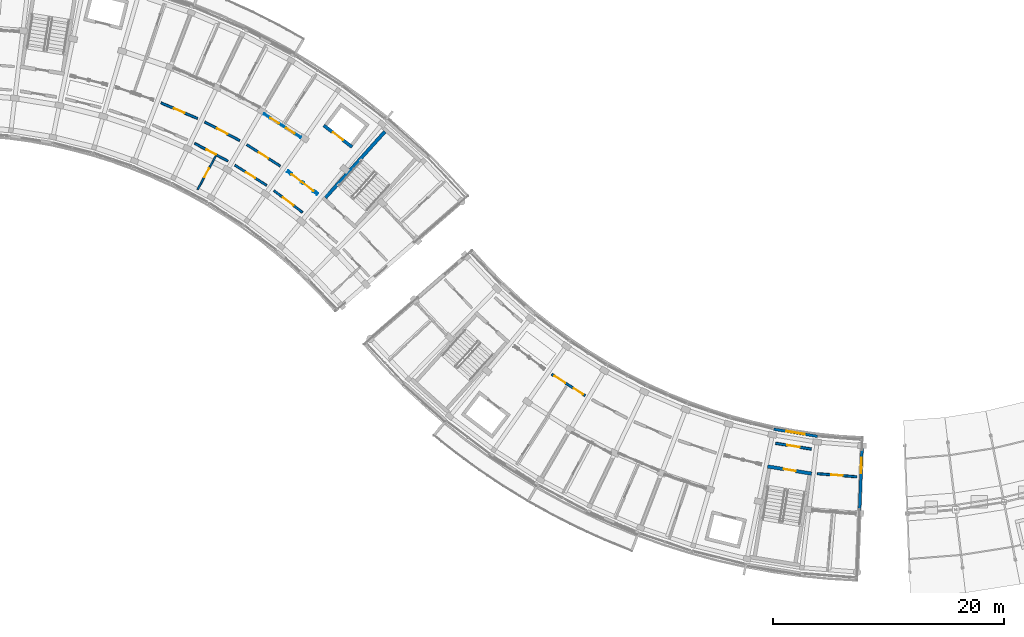
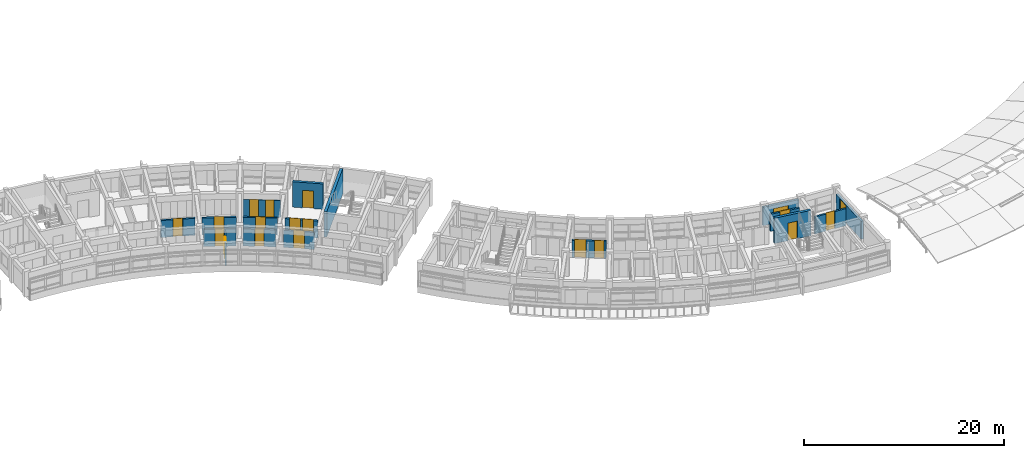
# One storey, part 37 of 50: 17 doors, 17 walls, 2 windows, 19 openings.
"""IFC4 building model written with IfcOpenShell, lengths in metres."""

from ifc_helpers import new_model, si_unit, direction, frame, frame_2d, origin, place, context, subcontext, project, spatial, rectangle, extrude, material, layer, layer_set, type_object, element, fill, save


model = new_model("IFC4")

# Units and contexts
model_context = context("Model", 3, precision=1e-05, world=origin(), true_north=direction((0.0, 1.0)))
body_context = subcontext(model_context, "Body", "Model", "MODEL_VIEW")
ifc_project = project(units=[si_unit("LENGTHUNIT", "METRE"), si_unit("AREAUNIT", "SQUARE_METRE"), si_unit("VOLUMEUNIT", "CUBIC_METRE"), si_unit("PLANEANGLEUNIT", "RADIAN"), si_unit("MASSUNIT", "GRAM", prefix="KILO")], contexts=[model_context])

# Site, building, storey
site_placement = place(None, origin())
site = spatial("IfcSite", under=ifc_project, at=site_placement, CompositionType="ELEMENT")
building_placement = place(site_placement, origin())
building = spatial("IfcBuilding", under=site, at=building_placement, Name="Zimvara Arc Housing Community", CompositionType="ELEMENT")
storey_placement = place(building_placement, frame((0.0, 0.0, 26.699951171875)))
storey = spatial("IfcBuildingStorey", under=building, at=storey_placement, Name="L08", CompositionType="ELEMENT", Elevation=26.699951171875)

# Wall, opening, window
ifc_material_1 = material(Name="Board-Marked Fair-Faced Concrete C35/45", Category="concrete")
ifc_layer_1 = layer(ifc_material_1, 0.22998046875)
ifc_layer_set_1 = layer_set([ifc_layer_1], Name="Board-Marked Fair-Faced Concrete C35/45")
wall_type_1 = type_object("IfcWallType", Name="EWL-CONC-230", PredefinedType="SOLIDWALL", material=ifc_layer_set_1)
wall_1_placement = place(storey_placement, frame((116.4970703125, 63.398681640625, 0.0), z_axis=(0.0, 0.0, 1.0), x_axis=(0.987080708519, -0.160223827412, 0.0)))
wall_1 = element("IfcWall", 1, at=wall_1_placement, inside=storey, type_object=wall_type_1, Name="ewall:blkC:L08:in:b8", PredefinedType="SOLIDWALL", context=body_context, shape_type="SweptSolid", body=[
    extrude(rectangle(XDim=3.832275390625, YDim=0.22998046875, at=frame_2d((1.916015625, 0.0))), origin(), (0.0, 0.0, 1.0), 2.25),
])
opening_1_placement = place(wall_1_placement, frame((1.1162109375, 0.0, 0.320068359375)))
opening_1 = element("IfcOpeningElement", 2, at=opening_1_placement, cuts=wall_1, Name="Opening W03", PredefinedType="OPENING", context=body_context, shape_type="SweptSolid", body=[
    extrude(rectangle(XDim=1.60009765625, YDim=1.5, at=frame_2d((0.800048828125, 0.75))), frame((0.0, 0.125, 0.0), z_axis=(0.0, -1.0, 0.0), x_axis=(1.0, 0.0, 0.0)), (0.0, 0.0, 1.0), 0.25),
])
ifc_material_2 = material(Name="Solar Control Low-E Double Glazing", Category="glass")
window_type_1 = type_object("IfcWindowType", Name="WIN-RES-1600x1500", PartitioningType="DOUBLE_PANEL_VERTICAL", PredefinedType="WINDOW", material=ifc_material_2)
window_1_placement = place(opening_1_placement, origin())
window_1 = element("IfcWindow", 3, at=window_1_placement, inside=storey, type_object=window_type_1, Name="win:blkC:L08:in:b8", OverallHeight=1.5, OverallWidth=1.60009765625, PartitioningType="DOUBLE_PANEL_VERTICAL", PredefinedType="WINDOW", context=body_context, shape_type="SweptSolid", body=[
    extrude(rectangle(XDim=1.60009765625, YDim=1.5, at=frame_2d((0.800048828125, 0.75))), frame((0.0, 0.030029296875, 0.0), z_axis=(0.0, -1.0, 0.0), x_axis=(1.0, 0.0, 0.0)), (0.0, 0.0, 1.0), 0.06005859375),
])
fill(opening_1, window_1)

ifc_material_3 = material(Name="Board-Marked Fair-Faced Concrete C35/45", Category="concrete")
ifc_layer_2 = layer(ifc_material_3, 0.2548828125)
ifc_layer_set_2 = layer_set([ifc_layer_2], Name="Board-Marked Fair-Faced Concrete C35/45")
wall_type_2 = type_object("IfcWallType", Name="EWL-CONC-255", PredefinedType="SOLIDWALL", material=ifc_layer_set_2)
wall_2_placement = place(storey_placement, frame((124.13134765625, 61.735595703125, 0.0), z_axis=(0.0, 0.0, 1.0), x_axis=(-0.038429649442, -0.999261308189, 0.0)))
wall_2 = element("IfcWall", 4, at=wall_2_placement, inside=storey, type_object=wall_type_2, Name="ewall:blkC:L08:gN", PredefinedType="SOLIDWALL", context=body_context, shape_type="SweptSolid", body=[
    extrude(rectangle(XDim=5.39990234375, YDim=0.2548828125, at=frame_2d((2.699951171875, 0.0))), origin(), (0.0, 0.0, 1.0), 2.179931640625),
])
opening_2_placement = place(wall_2_placement, frame((0.7900390625, 0.0, 0.75)))
opening_2 = element("IfcOpeningElement", 5, at=opening_2_placement, cuts=wall_2, Name="Opening W12", PredefinedType="OPENING", context=body_context, shape_type="SweptSolid", body=[
    extrude(rectangle(XDim=1.35009765625, YDim=1.35009765625, at=frame_2d((0.675048828125, 0.675048828125))), frame((0.0, 0.137451171875, 0.0), z_axis=(0.0, -1.0, 0.0), x_axis=(1.0, 0.0, 0.0)), (0.0, 0.0, 1.0), 0.27490234375),
])
ifc_material_4 = material(Name="Solar Control Low-E Double Glazing", Category="glass")
window_type_2 = type_object("IfcWindowType", Name="WIN-RES-1350x1350", PartitioningType="DOUBLE_PANEL_VERTICAL", PredefinedType="WINDOW", material=ifc_material_4)
window_2_placement = place(opening_2_placement, origin())
window_2 = element("IfcWindow", 6, at=window_2_placement, inside=storey, type_object=window_type_2, Name="win:blkC:L08:gN:w", OverallHeight=1.35009765625, OverallWidth=1.35009765625, PartitioningType="DOUBLE_PANEL_VERTICAL", PredefinedType="WINDOW", context=body_context, shape_type="SweptSolid", body=[
    extrude(rectangle(XDim=1.35009765625, YDim=1.35009765625, at=frame_2d((0.675048828125, 0.675048828125))), frame((0.0, 0.030029296875, 0.0), z_axis=(0.0, -1.0, 0.0), x_axis=(1.0, 0.0, 0.0)), (0.0, 0.0, 1.0), 0.06005859375),
])
fill(opening_2, window_2)

# Wall, openings, doors
ifc_material_5 = material(Name="Concrete C35/45", Category="concrete")
ifc_layer_3 = layer(ifc_material_5, 0.2099609375)
ifc_layer_set_3 = layer_set([ifc_layer_3], Name="Concrete C35/45")
wall_type_3 = type_object("IfcWallType", Name="IWL-CCF-210", PredefinedType="SOLIDWALL", material=ifc_layer_set_3)
wall_3_placement = place(storey_placement, frame((74.356689453125, 85.755859375, 0.0), z_axis=(0.0, 0.0, 1.0), x_axis=(0.795498026433, -0.605956178235, 0.0)))
wall_3 = element("IfcWall", 7, at=wall_3_placement, inside=storey, type_object=wall_type_3, Name="iwall:blkB:L08:ll_div:b7", PredefinedType="SOLIDWALL", context=body_context, shape_type="SweptSolid", body=[
    extrude(rectangle(XDim=3.296142578125, YDim=0.2099609375, at=frame_2d((1.64794921875, 0.0))), origin(), (0.0, 0.0, 1.0), 2.080078125),
])
opening_3_placement = place(wall_3_placement, frame((0.449951171875, 0.0, 0.0)))
opening_3 = element("IfcOpeningElement", 8, at=opening_3_placement, cuts=wall_3, Name="Opening FD-CCF1", PredefinedType="OPENING", context=body_context, shape_type="SweptSolid", body=[
    extrude(rectangle(XDim=1.10009765625, YDim=2.14990234375, at=frame_2d((0.550048828125, 1.074951171875))), frame((0.0, 0.114990234375, 0.0), z_axis=(0.0, -1.0, 0.0), x_axis=(1.0, 0.0, 0.0)), (0.0, 0.0, 1.0), 0.22998046875),
])
opening_4_placement = place(wall_3_placement, frame((1.72607421875, 0.0, 0.0)))
opening_4 = element("IfcOpeningElement", 9, at=opening_4_placement, cuts=wall_3, Name="Opening D07", PredefinedType="OPENING", context=body_context, shape_type="SweptSolid", body=[
    extrude(rectangle(XDim=1.1201171875, YDim=2.14990234375, at=frame_2d((0.56005859375, 1.074951171875))), frame((0.0, 0.114990234375, 0.0), z_axis=(0.0, -1.0, 0.0), x_axis=(1.0, 0.0, 0.0)), (0.0, 0.0, 1.0), 0.22998046875),
])
ifc_material_6 = material(Name="Mozambican Hardwood", Category="wood")
door_type_1 = type_object("IfcDoorType", Name="IDR-AMN-1120x2150", OperationType="NOTDEFINED", PredefinedType="DOOR", material=ifc_material_6)
door_1_placement = place(opening_4_placement, origin())
door_1 = element("IfcDoor", 10, at=door_1_placement, inside=storey, type_object=door_type_1, Name="idoor:blkB:L08:rs_in:b7", OperationType="SINGLE_SWING_LEFT", OverallHeight=2.14990234375, OverallWidth=1.1201171875, PredefinedType="DOOR", context=body_context, shape_type="SweptSolid", body=[
    extrude(rectangle(XDim=1.1201171875, YDim=2.14990234375, at=frame_2d((0.56005859375, 1.074951171875))), frame((0.0, 0.02490234375, 0.0), z_axis=(0.0, -1.0, 0.0), x_axis=(1.0, 0.0, 0.0)), (0.0, 0.0, 1.0), 0.050048828125),
])
fill(opening_4, door_1)
ifc_material_7 = material(Name="Anodised Aluminium AW-6063", Category="aluminium")
door_type_2 = type_object("IfcDoorType", Name="IDR-CCF-1100x2150", OperationType="NOTDEFINED", PredefinedType="DOOR", material=ifc_material_7)
door_2_placement = place(opening_3_placement, origin())
door_2 = element("IfcDoor", 11, at=door_2_placement, inside=storey, type_object=door_type_2, Name="idoor:blkB:L08:ll_in:b7", OperationType="SINGLE_SWING_RIGHT", OverallHeight=2.14990234375, OverallWidth=1.10009765625, PredefinedType="DOOR", context=body_context, shape_type="SweptSolid", body=[
    extrude(rectangle(XDim=1.10009765625, YDim=2.14990234375, at=frame_2d((0.550048828125, 1.074951171875))), frame((0.0, 0.02490234375, 0.0), z_axis=(0.0, -1.0, 0.0), x_axis=(1.0, 0.0, 0.0)), (0.0, 0.0, 1.0), 0.050048828125),
])
fill(opening_3, door_2)

# Wall, opening, door
wall_4_placement = place(storey_placement, frame((116.655517578125, 62.178466796875, 0.0), z_axis=(0.0, 0.0, 1.0), x_axis=(0.987083140276, -0.16020884552, 0.0)))
wall_4 = element("IfcWall", 12, at=wall_4_placement, inside=storey, type_object=wall_type_3, Name="iwall:blkC:L08:ccf_div:b8", PredefinedType="SOLIDWALL", context=body_context, shape_type="SweptSolid", body=[
    extrude(rectangle(XDim=3.128662109375, YDim=0.2099609375, at=frame_2d((1.564453125, 0.0))), origin(), (0.0, 0.0, 1.0), 2.080078125),
])
opening_5_placement = place(wall_4_placement, frame((1.014404296875, 0.0, 0.0)))
opening_5 = element("IfcOpeningElement", 13, at=opening_5_placement, cuts=wall_4, Name="Opening FD-CCF1", PredefinedType="OPENING", context=body_context, shape_type="SweptSolid", body=[
    extrude(rectangle(XDim=1.10009765625, YDim=2.14990234375, at=frame_2d((0.550048828125, 1.074951171875))), frame((0.0, 0.114990234375, 0.0), z_axis=(0.0, -1.0, 0.0), x_axis=(1.0, 0.0, 0.0)), (0.0, 0.0, 1.0), 0.22998046875),
])
door_3_placement = place(opening_5_placement, origin())
door_3 = element("IfcDoor", 14, at=door_3_placement, inside=storey, type_object=door_type_2, Name="idoor:blkC:L08:ccf_in:b8", OperationType="SINGLE_SWING_LEFT", OverallHeight=2.14990234375, OverallWidth=1.10009765625, PredefinedType="DOOR", context=body_context, shape_type="SweptSolid", body=[
    extrude(rectangle(XDim=1.10009765625, YDim=2.14990234375, at=frame_2d((0.550048828125, 1.074951171875))), frame((0.0, 0.02490234375, 0.0), z_axis=(0.0, -1.0, 0.0), x_axis=(1.0, 0.0, 0.0)), (0.0, 0.0, 1.0), 0.050048828125),
])
fill(opening_5, door_3)

ifc_material_8 = material(Name="Concrete C35/45", Category="concrete")
ifc_layer_4 = layer(ifc_material_8, 0.18994140625)
ifc_layer_set_4 = layer_set([ifc_layer_4], Name="Concrete C35/45")
wall_type_4 = type_object("IfcWallType", Name="IWL-CORR-190", PredefinedType="SOLIDWALL", material=ifc_layer_set_4)
wall_5_placement = place(storey_placement, frame((66.30859375, 88.1650390625, 0.0), z_axis=(0.0, 0.0, 1.0), x_axis=(0.883444301944, -0.468536194293, 0.0)))
wall_5 = element("IfcWall", 15, at=wall_5_placement, inside=storey, type_object=wall_type_4, Name="iwall:blkB:L08:corr_in:b5", PredefinedType="SOLIDWALL", context=body_context, shape_type="SweptSolid", body=[
    extrude(rectangle(XDim=3.268798828125, YDim=0.18994140625, at=frame_2d((1.63427734375, 0.0))), origin(), (0.0, 0.0, 1.0), 2.080078125),
])
opening_6_placement = place(wall_5_placement, frame((1.17431640625, 0.0, 0.0)))
opening_6 = element("IfcOpeningElement", 16, at=opening_6_placement, cuts=wall_5, Name="Opening D02", PredefinedType="OPENING", context=body_context, shape_type="SweptSolid", body=[
    extrude(rectangle(XDim=0.919921875, YDim=2.10009765625, at=frame_2d((0.4599609375, 1.050048828125))), frame((0.0, 0.10498046875, 0.0), z_axis=(0.0, -1.0, 0.0), x_axis=(1.0, 0.0, 0.0)), (0.0, 0.0, 1.0), 0.2099609375),
])
ifc_material_9 = material(Name="Mozambican Hardwood", Category="wood")
door_type_3 = type_object("IfcDoorType", Name="IDR-RM-0920x2100", OperationType="NOTDEFINED", PredefinedType="DOOR", material=ifc_material_9)
door_4_placement = place(opening_6_placement, origin())
door_4 = element("IfcDoor", 17, at=door_4_placement, inside=storey, type_object=door_type_3, Name="idoor:blkB:L08:in_rm:b5", OperationType="SINGLE_SWING_RIGHT", OverallHeight=2.10009765625, OverallWidth=0.919921875, PredefinedType="DOOR", context=body_context, shape_type="SweptSolid", body=[
    extrude(rectangle(XDim=0.919921875, YDim=2.10009765625, at=frame_2d((0.4599609375, 1.050048828125))), frame((0.0, 0.02490234375, 0.0), z_axis=(0.0, -1.0, 0.0), x_axis=(1.0, 0.0, 0.0)), (0.0, 0.0, 1.0), 0.050048828125),
])
fill(opening_6, door_4)

wall_6_placement = place(storey_placement, frame((69.80029296875, 86.281005859375, 0.0), z_axis=(0.0, 0.0, 1.0), x_axis=(0.842225276846, -0.539125758095, 0.0)))
wall_6 = element("IfcWall", 18, at=wall_6_placement, inside=storey, type_object=wall_type_4, Name="iwall:blkB:L08:corr_in:b6", PredefinedType="SOLIDWALL", context=body_context, shape_type="SweptSolid", body=[
    extrude(rectangle(XDim=3.2685546875, YDim=0.18994140625, at=frame_2d((1.63427734375, 0.0))), origin(), (0.0, 0.0, 1.0), 2.080078125),
])
opening_7_placement = place(wall_6_placement, frame((1.164306640625, 0.0, 0.0)))
opening_7 = element("IfcOpeningElement", 19, at=opening_7_placement, cuts=wall_6, Name="Opening D03", PredefinedType="OPENING", context=body_context, shape_type="SweptSolid", body=[
    extrude(rectangle(XDim=0.93994140625, YDim=2.10009765625, at=frame_2d((0.469970703125, 1.050048828125))), frame((0.0, 0.10498046875, 0.0), z_axis=(0.0, -1.0, 0.0), x_axis=(1.0, 0.0, 0.0)), (0.0, 0.0, 1.0), 0.2099609375),
])
ifc_material_10 = material(Name="Mozambican Hardwood", Category="wood")
door_type_4 = type_object("IfcDoorType", Name="IDR-RM-0940x2100", OperationType="NOTDEFINED", PredefinedType="DOOR", material=ifc_material_10)
door_5_placement = place(opening_7_placement, origin())
door_5 = element("IfcDoor", 20, at=door_5_placement, inside=storey, type_object=door_type_4, Name="idoor:blkB:L08:in_rm:b6", OperationType="SINGLE_SWING_RIGHT", OverallHeight=2.10009765625, OverallWidth=0.93994140625, PredefinedType="DOOR", context=body_context, shape_type="SweptSolid", body=[
    extrude(rectangle(XDim=0.93994140625, YDim=2.10009765625, at=frame_2d((0.469970703125, 1.050048828125))), frame((0.0, 0.02490234375, 0.0), z_axis=(0.0, -1.0, 0.0), x_axis=(1.0, 0.0, 0.0)), (0.0, 0.0, 1.0), 0.050048828125),
])
fill(opening_7, door_5)

wall_7_placement = place(storey_placement, frame((73.18212890625, 84.07568359375, 0.0), z_axis=(0.0, 0.0, 1.0), x_axis=(0.795501577908, -0.605951515838, 0.0)))
wall_7 = element("IfcWall", 21, at=wall_7_placement, inside=storey, type_object=wall_type_4, Name="iwall:blkB:L08:ra_div:b7", PredefinedType="SOLIDWALL", context=body_context, shape_type="SweptSolid", body=[
    extrude(rectangle(XDim=3.128662109375, YDim=0.18994140625, at=frame_2d((1.564453125, 0.0))), origin(), (0.0, 0.0, 1.0), 2.080078125),
])
opening_8_placement = place(wall_7_placement, frame((1.00439453125, 0.0, 0.0)))
opening_8 = element("IfcOpeningElement", 22, at=opening_8_placement, cuts=wall_7, Name="Opening D07", PredefinedType="OPENING", context=body_context, shape_type="SweptSolid", body=[
    extrude(rectangle(XDim=1.1201171875, YDim=2.14990234375, at=frame_2d((0.56005859375, 1.074951171875))), frame((0.0, 0.10498046875, 0.0), z_axis=(0.0, -1.0, 0.0), x_axis=(1.0, 0.0, 0.0)), (0.0, 0.0, 1.0), 0.2099609375),
])
door_6_placement = place(opening_8_placement, origin())
door_6 = element("IfcDoor", 23, at=door_6_placement, inside=storey, type_object=door_type_1, Name="idoor:blkB:L08:ra_d:b7", OperationType="SINGLE_SWING_RIGHT", OverallHeight=2.14990234375, OverallWidth=1.1201171875, PredefinedType="DOOR", context=body_context, shape_type="SweptSolid", body=[
    extrude(rectangle(XDim=1.1201171875, YDim=2.14990234375, at=frame_2d((0.56005859375, 1.074951171875))), frame((0.0, 0.02490234375, 0.0), z_axis=(0.0, -1.0, 0.0), x_axis=(1.0, 0.0, 0.0)), (0.0, 0.0, 1.0), 0.050048828125),
])
fill(opening_8, door_6)

ifc_material_11 = material(Name="Concrete C35/45", Category="concrete")
ifc_layer_5 = layer(ifc_material_11, 0.199951171875)
ifc_layer_set_5 = layer_set([ifc_layer_5], Name="Concrete C35/45")
wall_type_5 = type_object("IfcWallType", Name="IWL-CORR-200", PredefinedType="SOLIDWALL", material=ifc_layer_set_5)
wall_8_placement = place(storey_placement, frame((63.40673828125, 91.6728515625, 0.0), z_axis=(0.0, 0.0, 1.0), x_axis=(0.918718172399, -0.394913813008, 0.0)))
wall_8 = element("IfcWall", 24, at=wall_8_placement, inside=storey, type_object=wall_type_5, Name="iwall:blkB:L08:corr_out:b4", PredefinedType="SOLIDWALL", context=body_context, shape_type="SweptSolid", body=[
    extrude(rectangle(XDim=3.43603515625, YDim=0.199951171875, at=frame_2d((1.718017578125, 0.0))), origin(), (0.0, 0.0, 1.0), 2.080078125),
])
opening_9_placement = place(wall_8_placement, frame((1.22802734375, 0.0, 0.0)))
opening_9 = element("IfcOpeningElement", 25, at=opening_9_placement, cuts=wall_8, Name="Opening FD-FL1", PredefinedType="OPENING", context=body_context, shape_type="SweptSolid", body=[
    extrude(rectangle(XDim=0.97998046875, YDim=2.14990234375, at=frame_2d((0.489990234375, 1.074951171875))), frame((0.0, 0.10986328125, 0.0), z_axis=(0.0, -1.0, 0.0), x_axis=(1.0, 0.0, 0.0)), (0.0, 0.0, 1.0), 0.219970703125),
])
ifc_material_12 = material(Name="Mozambican Hardwood", Category="wood")
door_type_5 = type_object("IfcDoorType", Name="IDR-FLAT-0980x2150", OperationType="NOTDEFINED", PredefinedType="DOOR", material=ifc_material_12)
door_7_placement = place(opening_9_placement, origin())
door_7 = element("IfcDoor", 26, at=door_7_placement, inside=storey, type_object=door_type_5, Name="idoor:blkB:L08:flat:b4", OperationType="SINGLE_SWING_RIGHT", OverallHeight=2.14990234375, OverallWidth=0.97998046875, PredefinedType="DOOR", context=body_context, shape_type="SweptSolid", body=[
    extrude(rectangle(XDim=0.97998046875, YDim=2.14990234375, at=frame_2d((0.489990234375, 1.074951171875))), frame((0.0, 0.02490234375, 0.0), z_axis=(0.0, -1.0, 0.0), x_axis=(1.0, 0.0, 0.0)), (0.0, 0.0, 1.0), 0.050048828125),
])
fill(opening_9, door_7)

wall_9_placement = place(storey_placement, frame((67.1943359375, 90.013916015625, 0.0), z_axis=(0.0, 0.0, 1.0), x_axis=(0.883410853063, -0.468599258099, 0.0)))
wall_9 = element("IfcWall", 27, at=wall_9_placement, inside=storey, type_object=wall_type_5, Name="iwall:blkB:L08:corr_out:b5", PredefinedType="SOLIDWALL", context=body_context, shape_type="SweptSolid", body=[
    extrude(rectangle(XDim=3.43603515625, YDim=0.199951171875, at=frame_2d((1.718017578125, 0.0))), origin(), (0.0, 0.0, 1.0), 2.080078125),
])
opening_10_placement = place(wall_9_placement, frame((1.2080078125, 0.0, 0.0)))
opening_10 = element("IfcOpeningElement", 28, at=opening_10_placement, cuts=wall_9, Name="Opening FD-FL2", PredefinedType="OPENING", context=body_context, shape_type="SweptSolid", body=[
    extrude(rectangle(XDim=1.02001953125, YDim=2.14990234375, at=frame_2d((0.510009765625, 1.074951171875))), frame((0.0, 0.10986328125, 0.0), z_axis=(0.0, -1.0, 0.0), x_axis=(1.0, 0.0, 0.0)), (0.0, 0.0, 1.0), 0.219970703125),
])
ifc_material_13 = material(Name="Mozambican Hardwood", Category="wood")
door_type_6 = type_object("IfcDoorType", Name="IDR-FLAT-1020x2150", OperationType="NOTDEFINED", PredefinedType="DOOR", material=ifc_material_13)
door_8_placement = place(opening_10_placement, origin())
door_8 = element("IfcDoor", 29, at=door_8_placement, inside=storey, type_object=door_type_6, Name="idoor:blkB:L08:flat:b5", OperationType="SINGLE_SWING_LEFT", OverallHeight=2.14990234375, OverallWidth=1.02001953125, PredefinedType="DOOR", context=body_context, shape_type="SweptSolid", body=[
    extrude(rectangle(XDim=1.02001953125, YDim=2.14990234375, at=frame_2d((0.510009765625, 1.074951171875))), frame((0.0, 0.02490234375, 0.0), z_axis=(0.0, -1.0, 0.0), x_axis=(1.0, 0.0, 0.0)), (0.0, 0.0, 1.0), 0.050048828125),
])
fill(opening_10, door_8)

wall_10_placement = place(storey_placement, frame((70.833740234375, 88.05126953125, 0.0), z_axis=(0.0, 0.0, 1.0), x_axis=(0.842257205985, -0.539075874963, 0.0)))
wall_10 = element("IfcWall", 30, at=wall_10_placement, inside=storey, type_object=wall_type_5, Name="iwall:blkB:L08:corr_out:b6", PredefinedType="SOLIDWALL", context=body_context, shape_type="SweptSolid", body=[
    extrude(rectangle(XDim=3.43603515625, YDim=0.199951171875, at=frame_2d((1.718017578125, 0.0))), origin(), (0.0, 0.0, 1.0), 2.080078125),
])
opening_11_placement = place(wall_10_placement, frame((1.22802734375, 0.0, 0.0)))
opening_11 = element("IfcOpeningElement", 31, at=opening_11_placement, cuts=wall_10, Name="Opening FD-FL1", PredefinedType="OPENING", context=body_context, shape_type="SweptSolid", body=[
    extrude(rectangle(XDim=0.97998046875, YDim=2.14990234375, at=frame_2d((0.489990234375, 1.074951171875))), frame((0.0, 0.10986328125, 0.0), z_axis=(0.0, -1.0, 0.0), x_axis=(1.0, 0.0, 0.0)), (0.0, 0.0, 1.0), 0.219970703125),
])
door_9_placement = place(opening_11_placement, origin())
door_9 = element("IfcDoor", 32, at=door_9_placement, inside=storey, type_object=door_type_5, Name="idoor:blkB:L08:flat:b6", OperationType="SINGLE_SWING_LEFT", OverallHeight=2.14990234375, OverallWidth=0.97998046875, PredefinedType="DOOR", context=body_context, shape_type="SweptSolid", body=[
    extrude(rectangle(XDim=0.97998046875, YDim=2.14990234375, at=frame_2d((0.489990234375, 1.074951171875))), frame((0.0, 0.02490234375, 0.0), z_axis=(0.0, -1.0, 0.0), x_axis=(1.0, 0.0, 0.0)), (0.0, 0.0, 1.0), 0.050048828125),
])
fill(opening_11, door_9)

# Wall, openings, doors
wall_11_placement = place(storey_placement, frame((97.252197265625, 68.160888671875, 0.0), z_axis=(0.0, 0.0, 1.0), x_axis=(0.842289466461, -0.53902546757, 0.0)))
wall_11 = element("IfcWall", 33, at=wall_11_placement, inside=storey, type_object=wall_type_5, Name="iwall:blkC:L08:corr_out:b3", PredefinedType="SOLIDWALL", context=body_context, shape_type="SweptSolid", body=[
    extrude(rectangle(XDim=3.43603515625, YDim=0.199951171875, at=frame_2d((1.718017578125, 0.0))), origin(), (0.0, 0.0, 1.0), 2.080078125),
])
opening_12_placement = place(wall_11_placement, frame((0.280029296875, 0.0, 0.0)))
opening_12 = element("IfcOpeningElement", 34, at=opening_12_placement, cuts=wall_11, Name="Opening D07", PredefinedType="OPENING", context=body_context, shape_type="SweptSolid", body=[
    extrude(rectangle(XDim=1.1201171875, YDim=2.14990234375, at=frame_2d((0.56005859375, 1.074951171875))), frame((0.0, 0.10986328125, 0.0), z_axis=(0.0, -1.0, 0.0), x_axis=(1.0, 0.0, 0.0)), (0.0, 0.0, 1.0), 0.219970703125),
])
opening_13_placement = place(wall_11_placement, frame((2.26611328125, 0.0, 0.0)))
opening_13 = element("IfcOpeningElement", 35, at=opening_13_placement, cuts=wall_11, Name="Opening D06", PredefinedType="OPENING", context=body_context, shape_type="SweptSolid", body=[
    extrude(rectangle(XDim=0.949951171875, YDim=2.10009765625, at=frame_2d((0.47509765625, 1.050048828125))), frame((0.0, 0.10986328125, 0.0), z_axis=(0.0, -1.0, 0.0), x_axis=(1.0, 0.0, 0.0)), (0.0, 0.0, 1.0), 0.219970703125),
])
door_10_placement = place(opening_12_placement, origin())
door_10 = element("IfcDoor", 36, at=door_10_placement, inside=storey, type_object=door_type_1, Name="idoor:blkC:L08:amen:b3", OperationType="SINGLE_SWING_RIGHT", OverallHeight=2.14990234375, OverallWidth=1.1201171875, PredefinedType="DOOR", context=body_context, shape_type="SweptSolid", body=[
    extrude(rectangle(XDim=1.1201171875, YDim=2.14990234375, at=frame_2d((0.56005859375, 1.074951171875))), frame((0.0, 0.02490234375, 0.0), z_axis=(0.0, -1.0, 0.0), x_axis=(1.0, 0.0, 0.0)), (0.0, 0.0, 1.0), 0.050048828125),
])
fill(opening_12, door_10)
ifc_material_14 = material(Name="Mozambican Hardwood", Category="wood")
door_type_7 = type_object("IfcDoorType", Name="IDR-AWC-0950x2100", OperationType="NOTDEFINED", PredefinedType="DOOR", material=ifc_material_14)
door_11_placement = place(opening_13_placement, origin())
door_11 = element("IfcDoor", 37, at=door_11_placement, inside=storey, type_object=door_type_7, Name="idoor:blkC:L08:cawc:b3", OperationType="SINGLE_SWING_LEFT", OverallHeight=2.10009765625, OverallWidth=0.949951171875, PredefinedType="DOOR", context=body_context, shape_type="SweptSolid", body=[
    extrude(rectangle(XDim=0.949951171875, YDim=2.10009765625, at=frame_2d((0.47509765625, 1.050048828125))), frame((0.0, 0.02490234375, 0.0), z_axis=(0.0, -1.0, 0.0), x_axis=(1.0, 0.0, 0.0)), (0.0, 0.0, 1.0), 0.050048828125),
])
fill(opening_13, door_11)

# Wall, opening, door
wall_12_placement = place(storey_placement, frame((120.261474609375, 59.547119140625, 0.0), z_axis=(0.0, 0.0, 1.0), x_axis=(0.996862545573, -0.079152165058, 0.0)))
wall_12 = element("IfcWall", 38, at=wall_12_placement, inside=storey, type_object=wall_type_5, Name="iwall:blkC:L08:corr_out:b9", PredefinedType="SOLIDWALL", context=body_context, shape_type="SweptSolid", body=[
    extrude(rectangle(XDim=3.43603515625, YDim=0.199951171875, at=frame_2d((1.718017578125, 0.0))), origin(), (0.0, 0.0, 1.0), 2.080078125),
])
opening_14_placement = place(wall_12_placement, frame((1.2080078125, 0.0, 0.0)))
opening_14 = element("IfcOpeningElement", 39, at=opening_14_placement, cuts=wall_12, Name="Opening FD-FL2", PredefinedType="OPENING", context=body_context, shape_type="SweptSolid", body=[
    extrude(rectangle(XDim=1.02001953125, YDim=2.14990234375, at=frame_2d((0.510009765625, 1.074951171875))), frame((0.0, 0.10986328125, 0.0), z_axis=(0.0, -1.0, 0.0), x_axis=(1.0, 0.0, 0.0)), (0.0, 0.0, 1.0), 0.219970703125),
])
door_12_placement = place(opening_14_placement, origin())
door_12 = element("IfcDoor", 40, at=door_12_placement, inside=storey, type_object=door_type_6, Name="idoor:blkC:L08:flat:b9", OperationType="SINGLE_SWING_RIGHT", OverallHeight=2.14990234375, OverallWidth=1.02001953125, PredefinedType="DOOR", context=body_context, shape_type="SweptSolid", body=[
    extrude(rectangle(XDim=1.02001953125, YDim=2.14990234375, at=frame_2d((0.510009765625, 1.074951171875))), frame((0.0, 0.02490234375, 0.0), z_axis=(0.0, -1.0, 0.0), x_axis=(1.0, 0.0, 0.0)), (0.0, 0.0, 1.0), 0.050048828125),
])
fill(opening_14, door_12)

# Wall, openings, doors
ifc_material_15 = material(Name="Painted Acoustic Plasterboard")
ifc_layer_6 = layer(ifc_material_15, 0.125)
ifc_layer_set_6 = layer_set([ifc_layer_6], Name="Painted Acoustic Plasterboard")
wall_type_6 = type_object("IfcWallType", Name="IWL-PART-125", PredefinedType="PARTITIONING", material=ifc_layer_set_6)
wall_13_placement = place(storey_placement, frame((72.32958984375, 90.712158203125, 0.0), z_axis=(0.0, 0.0, 1.0), x_axis=(0.842245628842, -0.539093962771, 0.0)))
wall_13 = element("IfcWall", 41, at=wall_13_placement, inside=storey, type_object=wall_type_6, Name="iwall:blkB:L08:srv:b6", PredefinedType="PARTITIONING", context=body_context, shape_type="SweptSolid", body=[
    extrude(rectangle(XDim=3.78515625, YDim=0.125, at=frame_2d((1.892578125, 0.0))), origin(), (0.0, 0.0, 1.0), 2.080078125),
])
opening_15_placement = place(wall_13_placement, frame((0.64990234375, 0.0, 0.0)))
opening_15 = element("IfcOpeningElement", 42, at=opening_15_placement, cuts=wall_13, Name="Opening D01", PredefinedType="OPENING", context=body_context, shape_type="SweptSolid", body=[
    extrude(rectangle(XDim=0.89990234375, YDim=2.10009765625, at=frame_2d((0.449951171875, 1.050048828125))), frame((0.0, 0.072509765625, 0.0), z_axis=(0.0, -1.0, 0.0), x_axis=(1.0, 0.0, 0.0)), (0.0, 0.0, 1.0), 0.14501953125),
])
opening_16_placement = place(wall_13_placement, frame((2.255126953125, 0.0, 0.0)))
opening_16 = element("IfcOpeningElement", 43, at=opening_16_placement, cuts=wall_13, Name="Opening D05", PredefinedType="OPENING", context=body_context, shape_type="SweptSolid", body=[
    extrude(rectangle(XDim=0.8798828125, YDim=2.10009765625, at=frame_2d((0.43994140625, 1.050048828125))), frame((0.0, 0.072509765625, 0.0), z_axis=(0.0, -1.0, 0.0), x_axis=(1.0, 0.0, 0.0)), (0.0, 0.0, 1.0), 0.14501953125),
])
ifc_material_16 = material(Name="Mozambican Hardwood", Category="wood")
door_type_8 = type_object("IfcDoorType", Name="IDR-RM-0900x2100", OperationType="NOTDEFINED", PredefinedType="DOOR", material=ifc_material_16)
door_13_placement = place(opening_15_placement, origin())
door_13 = element("IfcDoor", 44, at=door_13_placement, inside=storey, type_object=door_type_8, Name="idoor:blkB:L08:kit_liv:b6", OperationType="SINGLE_SWING_LEFT", OverallHeight=2.10009765625, OverallWidth=0.89990234375, PredefinedType="DOOR", context=body_context, shape_type="SweptSolid", body=[
    extrude(rectangle(XDim=0.89990234375, YDim=2.10009765625, at=frame_2d((0.449951171875, 1.050048828125))), frame((0.0, 0.02490234375, 0.0), z_axis=(0.0, -1.0, 0.0), x_axis=(1.0, 0.0, 0.0)), (0.0, 0.0, 1.0), 0.050048828125),
])
fill(opening_15, door_13)
ifc_material_17 = material(Name="Mozambican Hardwood", Category="wood")
door_type_9 = type_object("IfcDoorType", Name="IDR-WC-0880x2100", OperationType="NOTDEFINED", PredefinedType="DOOR", material=ifc_material_17)
door_14_placement = place(opening_16_placement, origin())
door_14 = element("IfcDoor", 45, at=door_14_placement, inside=storey, type_object=door_type_9, Name="idoor:blkB:L08:bath_d:b6", OperationType="SINGLE_SWING_RIGHT", OverallHeight=2.10009765625, OverallWidth=0.8798828125, PredefinedType="DOOR", context=body_context, shape_type="SweptSolid", body=[
    extrude(rectangle(XDim=0.8798828125, YDim=2.10009765625, at=frame_2d((0.43994140625, 1.050048828125))), frame((0.0, 0.02490234375, 0.0), z_axis=(0.0, -1.0, 0.0), x_axis=(1.0, 0.0, 0.0)), (0.0, 0.0, 1.0), 0.050048828125),
])
fill(opening_16, door_14)

# Wall, opening, door
ifc_material_18 = material(Name="Painted Acoustic Plasterboard")
ifc_layer_7 = layer(ifc_material_18, 0.14501953125)
ifc_layer_set_7 = layer_set([ifc_layer_7], Name="Painted Acoustic Plasterboard")
wall_type_7 = type_object("IfcWallType", Name="IWL-WET-145", PredefinedType="PARTITIONING", material=ifc_layer_set_7)
wall_14_placement = place(storey_placement, frame((66.57470703125, 84.16162109375, 0.0), z_axis=(0.0, 0.0, 1.0), x_axis=(0.477841058477, 0.878446311868, 0.0)))
wall_14 = element("IfcWall", 46, at=wall_14_placement, inside=storey, type_object=wall_type_7, Name="iwall:blkB:L08:ens:b5", PredefinedType="PARTITIONING", context=body_context, shape_type="SweptSolid", body=[
    extrude(rectangle(XDim=3.300048828125, YDim=0.14501953125, at=frame_2d((1.64990234375, 0.0))), origin(), (0.0, 0.0, 1.0), 2.080078125),
])
opening_17_placement = place(wall_14_placement, frame((1.2099609375, 0.0, 0.0)))
opening_17 = element("IfcOpeningElement", 47, at=opening_17_placement, cuts=wall_14, Name="Opening D05", PredefinedType="OPENING", context=body_context, shape_type="SweptSolid", body=[
    extrude(rectangle(XDim=0.8798828125, YDim=2.10009765625, at=frame_2d((0.43994140625, 1.050048828125))), frame((0.0, 0.08251953125, 0.0), z_axis=(0.0, -1.0, 0.0), x_axis=(1.0, 0.0, 0.0)), (0.0, 0.0, 1.0), 0.1650390625),
])
door_15_placement = place(opening_17_placement, origin())
door_15 = element("IfcDoor", 48, at=door_15_placement, inside=storey, type_object=door_type_9, Name="idoor:blkB:L08:ens_d:b5", OperationType="SINGLE_SWING_LEFT", OverallHeight=2.10009765625, OverallWidth=0.8798828125, PredefinedType="DOOR", context=body_context, shape_type="SweptSolid", body=[
    extrude(rectangle(XDim=0.8798828125, YDim=2.10009765625, at=frame_2d((0.43994140625, 1.050048828125))), frame((0.0, 0.02490234375, 0.0), z_axis=(0.0, -1.0, 0.0), x_axis=(1.0, 0.0, 0.0)), (0.0, 0.0, 1.0), 0.050048828125),
])
fill(opening_17, door_15)

ifc_material_19 = material(Name="Concrete C40/50", Category="concrete")
ifc_layer_8 = layer(ifc_material_19, 0.280029296875)
ifc_layer_set_8 = layer_set([ifc_layer_8], Name="Concrete C40/50")
wall_type_8 = type_object("IfcWallType", Name="WL-CORE-280", PredefinedType="SHEAR", material=ifc_layer_set_8)
wall_15_placement = place(storey_placement, frame((79.96142578125, 87.84375, 0.0), z_axis=(0.0, 0.0, 1.0), x_axis=(-0.795464365424, 0.606000365793, 0.0)))
wall_15 = element("IfcWall", 49, at=wall_15_placement, inside=storey, type_object=wall_type_8, Name="lwall:LP-B2:L08:front", PredefinedType="SHEAR", context=body_context, shape_type="SweptSolid", body=[
    extrude(rectangle(XDim=3.090087890625, YDim=0.280029296875, at=frame_2d((1.544921875, 0.0))), origin(), (0.0, 0.0, 1.0), 3.10009765625),
])
opening_18_placement = place(wall_15_placement, frame((0.9951171875, 0.0, 0.0)))
opening_18 = element("IfcOpeningElement", 50, at=opening_18_placement, cuts=wall_15, Name="Opening LD-LP-B2", PredefinedType="OPENING", context=body_context, shape_type="SweptSolid", body=[
    extrude(rectangle(XDim=1.10009765625, YDim=2.14990234375, at=frame_2d((0.550048828125, 1.074951171875))), frame((0.0, 0.14990234375, 0.0), z_axis=(0.0, -1.0, 0.0), x_axis=(1.0, 0.0, 0.0)), (0.0, 0.0, 1.0), 0.300048828125),
])
ifc_material_20 = material(Name="Anodised Aluminium AW-6063", Category="aluminium")
door_type_10 = type_object("IfcDoorType", Name="IDR-LD-1100x2150", OperationType="DOUBLE_DOOR_SLIDING", PredefinedType="DOOR", material=ifc_material_20)
door_16_placement = place(opening_18_placement, origin())
door_16 = element("IfcDoor", 51, at=door_16_placement, inside=storey, type_object=door_type_10, Name="Lift LP-B2 Sliding Landing Door L08", OperationType="DOUBLE_DOOR_SLIDING", OverallHeight=2.14990234375, OverallWidth=1.10009765625, PredefinedType="DOOR", context=body_context, shape_type="SweptSolid", body=[
    extrude(rectangle(XDim=1.10009765625, YDim=2.14990234375, at=frame_2d((0.550048828125, 1.074951171875))), frame((0.0, 0.02490234375, 0.0), z_axis=(0.0, -1.0, 0.0), x_axis=(1.0, 0.0, 0.0)), (0.0, 0.0, 1.0), 0.050048828125),
])
fill(opening_18, door_16)

# Wall
ifc_material_21 = material(Name="Concrete C40/50", Category="concrete")
ifc_layer_9 = layer(ifc_material_21, 0.300048828125)
ifc_layer_set_9 = layer_set([ifc_layer_9], Name="Concrete C40/50")
wall_type_9 = type_object("IfcWallType", Name="WL-CORE-300", PredefinedType="SHEAR", material=ifc_layer_set_9)
wall_16_placement = place(storey_placement, frame((77.655029296875, 83.461181640625, 0.0), z_axis=(0.0, 0.0, 1.0), x_axis=(0.668868253964, 0.743380964808, 0.0)))
element("IfcWall", 52, at=wall_16_placement, inside=storey, type_object=wall_type_9, Name="cwall:ST-B2:L08:right", PredefinedType="SHEAR", context=body_context, shape_type="SweptSolid", body=[
    extrude(rectangle(XDim=7.68994140625, YDim=0.300048828125, at=frame_2d((3.844970703125, 0.0))), origin(), (0.0, 0.0, 1.0), 3.10009765625),
])

# Wall, opening, door
wall_17_placement = place(storey_placement, frame((115.953857421875, 60.16943359375, 0.0), z_axis=(0.0, 0.0, 1.0), x_axis=(0.987077443397, -0.160243941341, 0.0)))
wall_17 = element("IfcWall", 53, at=wall_17_placement, inside=storey, type_object=wall_type_9, Name="cwall:ST-C2:L08:near", PredefinedType="SHEAR", context=body_context, shape_type="SweptSolid", body=[
    extrude(rectangle(XDim=3.869873046875, YDim=0.300048828125, at=frame_2d((1.93505859375, 0.0))), origin(), (0.0, 0.0, 1.0), 3.10009765625),
])
opening_19_placement = place(wall_17_placement, frame((1.409912109375, 0.0, 0.0)))
opening_19 = element("IfcOpeningElement", 54, at=opening_19_placement, cuts=wall_17, Name="Opening FD-ST2", PredefinedType="OPENING", context=body_context, shape_type="SweptSolid", body=[
    extrude(rectangle(XDim=1.050048828125, YDim=2.14990234375, at=frame_2d((0.52490234375, 1.074951171875))), frame((0.0, 0.159912109375, 0.0), z_axis=(0.0, -1.0, 0.0), x_axis=(1.0, 0.0, 0.0)), (0.0, 0.0, 1.0), 0.320068359375),
])
ifc_material_22 = material(Name="Anodised Aluminium AW-6063", Category="aluminium")
door_type_11 = type_object("IfcDoorType", Name="IDR-ST-1050x2150", OperationType="NOTDEFINED", PredefinedType="DOOR", material=ifc_material_22)
door_17_placement = place(opening_19_placement, origin())
door_17 = element("IfcDoor", 55, at=door_17_placement, inside=storey, type_object=door_type_11, Name="idoor:ST-C2:L08:entry", OperationType="SINGLE_SWING_RIGHT", OverallHeight=2.14990234375, OverallWidth=1.050048828125, PredefinedType="DOOR", context=body_context, shape_type="SweptSolid", body=[
    extrude(rectangle(XDim=1.050048828125, YDim=2.14990234375, at=frame_2d((0.52490234375, 1.074951171875))), frame((0.0, 0.02490234375, 0.0), z_axis=(0.0, -1.0, 0.0), x_axis=(1.0, 0.0, 0.0)), (0.0, 0.0, 1.0), 0.050048828125),
])
fill(opening_19, door_17)

save(model, "model.ifc")
